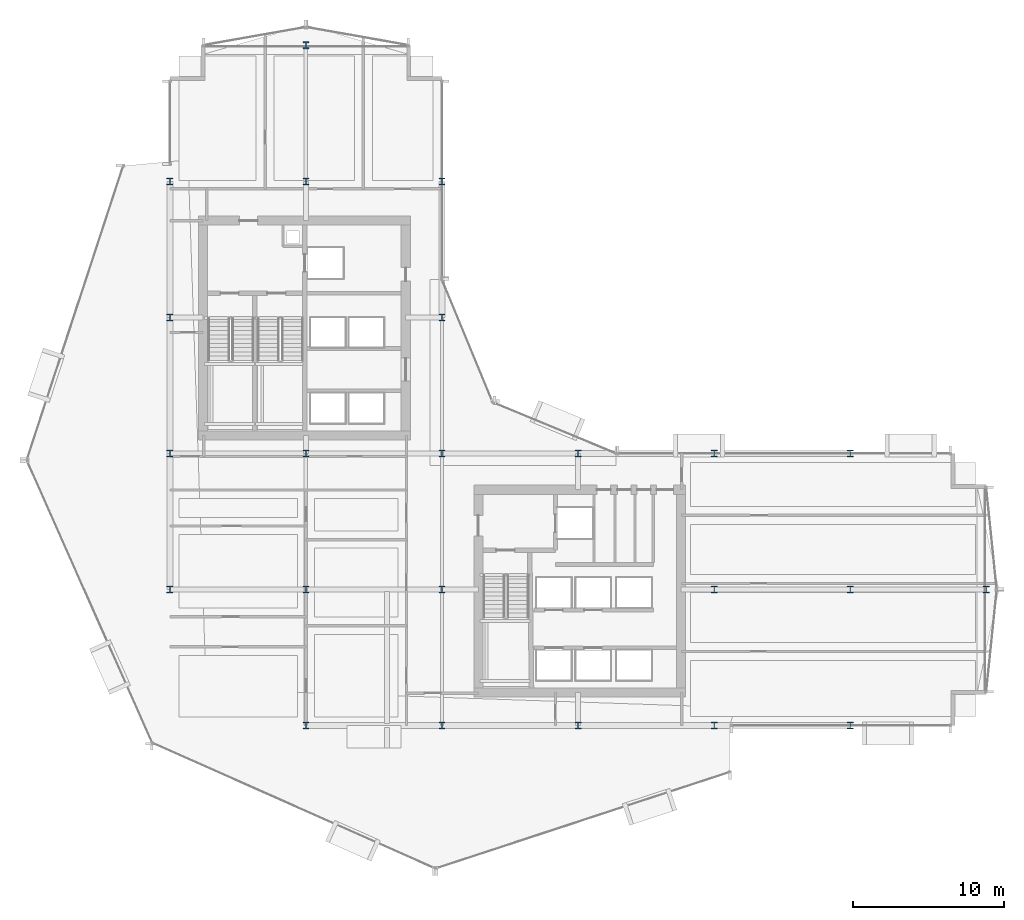
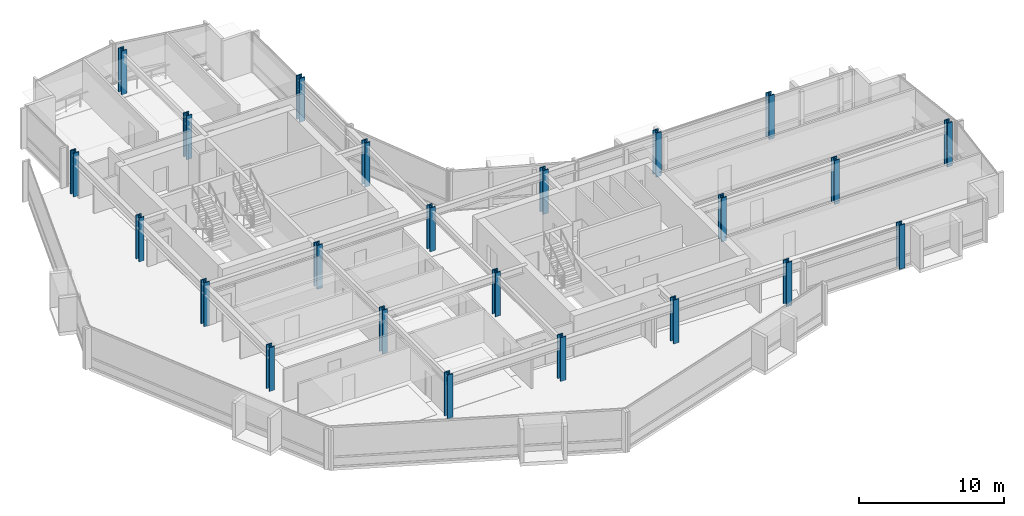
# One storey, part 1 of 34: 23 columns.
"""IFC4 building model written with IfcOpenShell, lengths in metres."""

from ifc_helpers import new_model, si_unit, direction, frame, origin, origin_2d, place, context, subcontext, project, spatial, i_section, extrude, material, material_profile, profile_set, type_object, element, save


model = new_model("IFC4")

# Units and contexts
model_context = context("Model", 3, precision=1e-05, world=origin(), true_north=direction((0.0, 1.0)))
body_context = subcontext(model_context, "Body", "Model", "MODEL_VIEW")
ifc_project = project(units=[si_unit("LENGTHUNIT", "METRE"), si_unit("AREAUNIT", "SQUARE_METRE"), si_unit("VOLUMEUNIT", "CUBIC_METRE"), si_unit("PLANEANGLEUNIT", "RADIAN"), si_unit("MASSUNIT", "GRAM", prefix="KILO")], contexts=[model_context])

# Site, building, storey
site_placement = place(None, origin())
site = spatial("IfcSite", under=ifc_project, at=site_placement, CompositionType="ELEMENT")
building_placement = place(site_placement, origin())
building = spatial("IfcBuilding", under=site, at=building_placement, Name="Solvaryn Broadcast Tower", CompositionType="ELEMENT")
storey_placement = place(building_placement, frame((0.0, 0.0, 89.10009765625)))
storey = spatial("IfcBuildingStorey", under=building, at=storey_placement, Name="L21", CompositionType="ELEMENT", Elevation=89.10009765625)

# Columns
ifc_material_1 = material(Name="Steel ASTM A913 Grade 65", Category="steel")
ifc_material_profile_1 = material_profile(ifc_material_1, i_section(OverallWidth=0.424072265625, OverallDepth=0.47412109375, WebThickness=0.047607421875, FlangeThickness=0.0771484375, FilletRadius=0.014892578125, at=origin_2d()))
ifc_profile_set_1 = profile_set([ifc_material_profile_1], Name="Steel ASTM A913 Grade 65")
column_type_1 = type_object("IfcColumnType", Name="COL-C04E-W14X426", PredefinedType="COLUMN", material=ifc_profile_set_1)
for number, where, z_axis, x_axis, name in (
    (1, (9.0, 18.0, 0.0), (0.0, 0.0, 1.0), (1.0, 0.0, 0.0), "L21 Column (9.0, 18.0)"),
    (2, (9.0, 27.0, 0.0), (0.0, 0.0, 1.0), (1.0, 0.0, 0.0), "L21 Column (9.0, 27.0)"),
    (3, (9.0, 36.0, 0.0), (0.0, 0.0, 1.0), (1.0, 0.0, 0.0), "L21 Column (9.0, 36.0)"),
    (4, (9.0, 45.0, 0.0), (0.0, 0.0, 1.0), (1.0, 0.0, 0.0), "L21 Column (9.0, 45.0)"),
    (5, (18.0, 9.0, 0.0), (0.0, 0.0, 1.0), (1.0, 0.0, 0.0), "L21 Column (18.0, 9.0)"),
    (6, (18.0, 54.0, 0.0), (0.0, 0.0, 1.0), (1.0, 0.0, 0.0), "L21 Column (18.0, 54.0)"),
    (7, (27.0, 9.0, 0.0), (0.0, 0.0, 1.0), (1.0, 0.0, 0.0), "L21 Column (27.0, 9.0)"),
    (8, (27.0, 36.0, 0.0), (0.0, 0.0, 1.0), (1.0, 0.0, 0.0), "L21 Column (27.0, 36.0)"),
    (9, (27.0, 45.0, 0.0), (0.0, 0.0, 1.0), (1.0, 0.0, 0.0), "L21 Column (27.0, 45.0)"),
    (10, (36.0, 9.0, 0.0), (0.0, 0.0, 1.0), (1.0, 0.0, 0.0), "L21 Column (36.0, 9.0)"),
    (11, (36.0, 27.0, 0.0), (0.0, 0.0, 1.0), (1.0, 0.0, 0.0), "L21 Column (36.0, 27.0)"),
    (12, (45.0, 9.0, 0.0), (0.0, 0.0, 1.0), (1.0, 0.0, 0.0), "L21 Column (45.0, 9.0)"),
    (13, (45.0, 27.0, 0.0), (0.0, 0.0, 1.0), (1.0, 0.0, 0.0), "L21 Column (45.0, 27.0)"),
    (14, (54.0, 9.0, 0.0), (0.0, 0.0, 1.0), (1.0, 0.0, 0.0), "L21 Column (54.0, 9.0)"),
    (15, (54.0, 27.0, 0.0), (0.0, 0.0, 1.0), (1.0, 0.0, 0.0), "L21 Column (54.0, 27.0)"),
    (16, (63.0, 18.0, 0.0), (0.0, 0.0, 1.0), (1.0, 0.0, 0.0), "L21 Column (63.0, 18.0)"),
):
    element("IfcColumn", number, at=place(storey_placement, frame(where, z_axis=z_axis, x_axis=x_axis)), inside=storey, type_object=column_type_1, Name=name, PredefinedType="COLUMN", context=body_context, shape_type="SweptSolid", body=[
        extrude(i_section(OverallWidth=0.424072265625, OverallDepth=0.47412109375, WebThickness=0.047607421875, FlangeThickness=0.0771484375, FilletRadius=0.014892578125, at=origin_2d()), origin(), (0.0, 0.0, 1.0), 3.699951171875),
    ])
ifc_material_2 = material(Name="Steel ASTM A913 Grade 65", Category="steel")
ifc_material_profile_2 = material_profile(ifc_material_2, i_section(OverallWidth=0.424072265625, OverallDepth=0.47412109375, WebThickness=0.047607421875, FlangeThickness=0.0771484375, FilletRadius=0.014892578125, at=origin_2d()))
ifc_profile_set_2 = profile_set([ifc_material_profile_2], Name="Steel ASTM A913 Grade 65")
column_type_2 = type_object("IfcColumnType", Name="COL-C04I-W14X426", PredefinedType="COLUMN", material=ifc_profile_set_2)
for number, where, z_axis, x_axis, name in (
    (17, (18.0, 18.0, 0.0), (0.0, 0.0, 1.0), (1.0, 0.0, 0.0), "L21 Column (18.0, 18.0)"),
    (18, (18.0, 27.0, 0.0), (0.0, 0.0, 1.0), (1.0, 0.0, 0.0), "L21 Column (18.0, 27.0)"),
    (19, (18.0, 45.0, 0.0), (0.0, 0.0, 1.0), (1.0, 0.0, 0.0), "L21 Column (18.0, 45.0)"),
    (20, (27.0, 18.0, 0.0), (0.0, 0.0, 1.0), (1.0, 0.0, 0.0), "L21 Column (27.0, 18.0)"),
    (21, (27.0, 27.0, 0.0), (0.0, 0.0, 1.0), (1.0, 0.0, 0.0), "L21 Column (27.0, 27.0)"),
    (22, (45.0, 18.0, 0.0), (0.0, 0.0, 1.0), (1.0, 0.0, 0.0), "L21 Column (45.0, 18.0)"),
    (23, (54.0, 18.0, 0.0), (0.0, 0.0, 1.0), (1.0, 0.0, 0.0), "L21 Column (54.0, 18.0)"),
):
    element("IfcColumn", number, at=place(storey_placement, frame(where, z_axis=z_axis, x_axis=x_axis)), inside=storey, type_object=column_type_2, Name=name, PredefinedType="COLUMN", context=body_context, shape_type="SweptSolid", body=[
        extrude(i_section(OverallWidth=0.424072265625, OverallDepth=0.47412109375, WebThickness=0.047607421875, FlangeThickness=0.0771484375, FilletRadius=0.014892578125, at=origin_2d()), origin(), (0.0, 0.0, 1.0), 3.699951171875),
    ])

save(model, "model.ifc")
